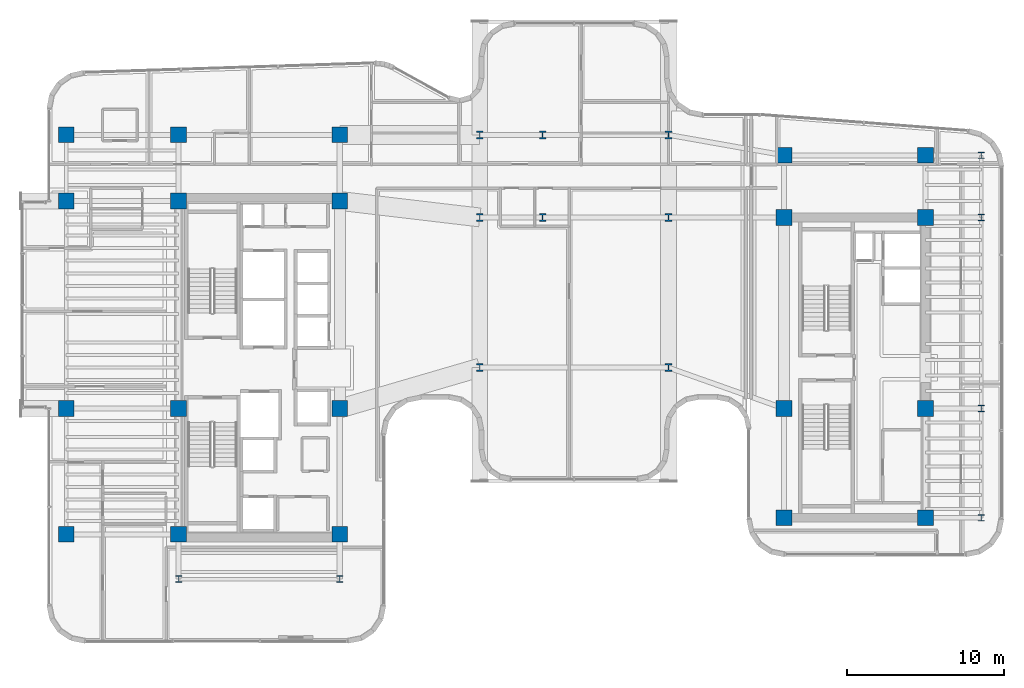
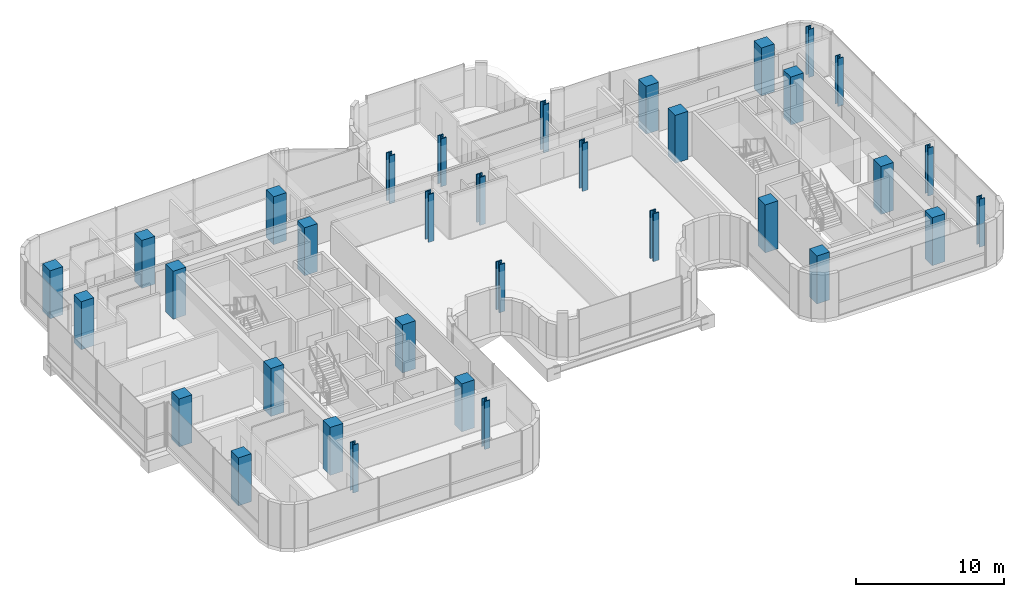
# One storey, part 1 of 38: 34 columns.
"""IFC4 building model written with IfcOpenShell, lengths in metres."""

from ifc_helpers import new_model, si_unit, direction, frame, origin, origin_2d, place, context, subcontext, project, spatial, rectangle, i_section, extrude, source, transform, mapped, material, material_profile, profile_set, type_object, element, save


model = new_model("IFC4")

# Units and contexts
model_context = context("Model", 3, precision=1e-05, world=origin(), true_north=direction((0.0, 1.0)))
body_context = subcontext(model_context, "Body", "Model", "MODEL_VIEW")
ifc_project = project(units=[si_unit("LENGTHUNIT", "METRE"), si_unit("AREAUNIT", "SQUARE_METRE"), si_unit("VOLUMEUNIT", "CUBIC_METRE"), si_unit("PLANEANGLEUNIT", "RADIAN"), si_unit("MASSUNIT", "GRAM", prefix="KILO")], contexts=[model_context])

# Site, building, storey
site_placement = place(None, origin())
site = spatial("IfcSite", under=ifc_project, at=site_placement, CompositionType="ELEMENT")
building_placement = place(site_placement, origin())
building = spatial("IfcBuilding", under=site, at=building_placement, Name="Valdorenza Pilgrim Sanctuary Tower", CompositionType="ELEMENT")
storey_placement = place(building_placement, frame((0.0, 0.0, 180.5)))
storey = spatial("IfcBuildingStorey", under=building, at=storey_placement, Name="L46", CompositionType="ELEMENT", Elevation=180.5)

# Columns
ifc_material_1 = material(Name="Concrete C50/60", Category="concrete")
ifc_material_profile_1 = material_profile(ifc_material_1, rectangle(XDim=1.0, YDim=1.0, at=origin_2d()), Name="RC 1000x1000")
ifc_profile_set_1 = profile_set([ifc_material_profile_1], Name="Concrete C50/60")
column_type_1 = type_object("IfcColumnType", Name="COL-Z3-1000", PredefinedType="COLUMN", material=ifc_profile_set_1)
shared_shape_1 = source(origin(), body_context, "Body", "SweptSolid", [
    extrude(rectangle(XDim=1.0, YDim=1.0, at=origin_2d()), origin(), (0.0, 0.0, 1.0), 3.949951171875),
])
for number, where, z_axis, x_axis, name in (
    (1, (-29.800048828125, -10.60009765625, 0.0), (0.0, 0.0, 1.0), (1.0, 0.0, 0.0), "L46 Perimeter Column WA-W-S1"),
    (2, (-22.64990234375, -10.60009765625, 0.0), (0.0, 0.0, 1.0), (1.0, 0.0, 0.0), "L46 Column CA-W-S1"),
    (3, (-12.39990234375, -10.60009765625, 0.0), (0.0, 0.0, 1.0), (1.0, 0.0, 0.0), "L46 Column CA-E-S1"),
    (4, (-29.800048828125, -2.60009765625, 0.0), (0.0, 0.0, 1.0), (1.0, 0.0, 0.0), "L46 Perimeter Column WA-W-M0"),
    (5, (-22.64990234375, -2.60009765625, 0.0), (0.0, 0.0, 1.0), (1.0, 0.0, 0.0), "L46 Column CA-W-M0"),
    (6, (-12.39990234375, -2.60009765625, 0.0), (0.0, 0.0, 1.0), (1.0, 0.0, 0.0), "L46 Column CA-E-M0"),
    (7, (-29.800048828125, 10.60009765625, 0.0), (0.0, 0.0, 1.0), (1.0, 0.0, 0.0), "L46 Perimeter Column WA-W-N1"),
    (8, (-22.64990234375, 10.60009765625, 0.0), (0.0, 0.0, 1.0), (1.0, 0.0, 0.0), "L46 Column CA-W-N1"),
    (9, (-12.39990234375, 10.60009765625, 0.0), (0.0, 0.0, 1.0), (1.0, 0.0, 0.0), "L46 Column CA-E-N1"),
    (10, (-29.800048828125, 14.800048828125, 0.0), (0.0, 0.0, 1.0), (1.0, 0.0, 0.0), "L46 Perimeter Column WA-W-N2"),
    (11, (-22.64990234375, 14.800048828125, 0.0), (0.0, 0.0, 1.0), (1.0, 0.0, 0.0), "L46 Column CA-W-N2"),
    (12, (-12.39990234375, 14.800048828125, 0.0), (0.0, 0.0, 1.0), (1.0, 0.0, 0.0), "L46 Column CA-E-N2"),
    (13, (15.85009765625, -9.550048828125, 0.0), (0.0, 0.0, 1.0), (1.0, 0.0, 0.0), "L46 Column CB-W-S1"),
    (14, (24.85009765625, -9.550048828125, 0.0), (0.0, 0.0, 1.0), (1.0, 0.0, 0.0), "L46 Column CB-E-S1"),
    (15, (15.85009765625, -2.60009765625, 0.0), (0.0, 0.0, 1.0), (1.0, 0.0, 0.0), "L46 Column CB-W-M0"),
    (16, (24.85009765625, -2.60009765625, 0.0), (0.0, 0.0, 1.0), (1.0, 0.0, 0.0), "L46 Column CB-E-M0"),
    (17, (15.85009765625, 9.550048828125, 0.0), (0.0, 0.0, 1.0), (1.0, 0.0, 0.0), "L46 Column CB-W-N1"),
    (18, (24.85009765625, 9.550048828125, 0.0), (0.0, 0.0, 1.0), (1.0, 0.0, 0.0), "L46 Column CB-E-N1"),
    (19, (15.85009765625, 13.5, 0.0), (0.0, 0.0, 1.0), (1.0, 0.0, 0.0), "L46 Column CB-W-N2"),
    (20, (24.85009765625, 13.5, 0.0), (0.0, 0.0, 1.0), (1.0, 0.0, 0.0), "L46 Column CB-E-N2"),
):
    element("IfcColumn", number, at=place(storey_placement, frame(where, z_axis=z_axis, x_axis=x_axis)), inside=storey, type_object=column_type_1, Name=name, PredefinedType="COLUMN", context=body_context, shape_type="MappedRepresentation", body=[
        mapped(shared_shape_1, transform((0.0, 0.0, 0.0), x_axis=(1.0, 0.0, 0.0), y_axis=(0.0, 1.0, 0.0), z_axis=(0.0, 0.0, 1.0), scale=1.0)),
    ])
ifc_material_2 = material(Name="Steel ASTM A992 Grade 50", Category="steel")
ifc_material_profile_2 = material_profile(ifc_material_2, i_section(OverallWidth=0.412109375, OverallDepth=0.43505859375, WebThickness=0.035888671875, FlangeThickness=0.057373046875, at=origin_2d()), Name="W14X311")
ifc_profile_set_2 = profile_set([ifc_material_profile_2], Name="Steel ASTM A992 Grade 50")
column_type_2 = type_object("IfcColumnType", Name="COL-STL-W311", PredefinedType="COLUMN", material=ifc_profile_set_2)
shared_shape_2 = source(origin(), body_context, "Body", "SweptSolid", [
    extrude(i_section(OverallWidth=0.412109375, OverallDepth=0.43505859375, WebThickness=0.035888671875, FlangeThickness=0.057373046875, at=origin_2d()), origin(), (0.0, 0.0, 1.0), 3.949951171875),
])
for number, where, z_axis, x_axis, name in (
    (21, (-22.64990234375, -13.449951171875, 0.0), (0.0, 0.0, 1.0), (1.0, 0.0, 0.0), "L46 Column WA-S-W"),
    (22, (-12.39990234375, -13.449951171875, 0.0), (0.0, 0.0, 1.0), (1.0, 0.0, 0.0), "L46 Column WA-S-E"),
    (23, (28.39990234375, -9.550048828125, 0.0), (0.0, 0.0, 1.0), (1.0, 0.0, 0.0), "L46 Perimeter Column WB-E-S1"),
    (24, (28.39990234375, -2.60009765625, 0.0), (0.0, 0.0, 1.0), (1.0, 0.0, 0.0), "L46 Perimeter Column WB-E-M0"),
    (25, (28.39990234375, 9.550048828125, 0.0), (0.0, 0.0, 1.0), (1.0, 0.0, 0.0), "L46 Perimeter Column WB-E-N1"),
    (26, (28.39990234375, 13.5, 0.0), (0.0, 0.0, 1.0), (1.0, 0.0, 0.0), "L46 Perimeter Column WB-E-N2"),
):
    element("IfcColumn", number, at=place(storey_placement, frame(where, z_axis=z_axis, x_axis=x_axis)), inside=storey, type_object=column_type_2, Name=name, PredefinedType="COLUMN", context=body_context, shape_type="MappedRepresentation", body=[
        mapped(shared_shape_2, transform((0.0, 0.0, 0.0), x_axis=(1.0, 0.0, 0.0), y_axis=(0.0, 1.0, 0.0), z_axis=(0.0, 0.0, 1.0), scale=1.0)),
    ])
ifc_material_profile_3 = material_profile(ifc_material_2, i_section(OverallWidth=0.431884765625, OverallDepth=0.498046875, WebThickness=0.0556640625, FlangeThickness=0.0888671875, at=origin_2d()), Name="W14X500")
ifc_profile_set_3 = profile_set([ifc_material_profile_3], Name="Steel ASTM A992 Grade 50")
column_type_3 = type_object("IfcColumnType", Name="COL-STL-W500", PredefinedType="COLUMN", material=ifc_profile_set_3)
shared_shape_3 = source(origin(), body_context, "Body", "SweptSolid", [
    extrude(i_section(OverallWidth=0.431884765625, OverallDepth=0.498046875, WebThickness=0.0556640625, FlangeThickness=0.0888671875, at=origin_2d()), origin(), (0.0, 0.0, 1.0), 3.949951171875),
])
for number, where, z_axis, x_axis, name in (
    (27, (-3.5, 0.0, 0.0), (0.0, 0.0, 1.0), (1.0, 0.0, 0.0), "L46 Column PRY-W0"),
    (28, (-3.5, 9.550048828125, 0.0), (0.0, 0.0, 1.0), (1.0, 0.0, 0.0), "L46 Column PRY-W1"),
    (29, (-3.5, 14.800048828125, 0.0), (0.0, 0.0, 1.0), (1.0, 0.0, 0.0), "L46 Column PRY-W2"),
    (30, (8.5, 0.0, 0.0), (0.0, 0.0, 1.0), (1.0, 0.0, 0.0), "L46 Column PRY-E0"),
    (31, (8.5, 9.550048828125, 0.0), (0.0, 0.0, 1.0), (1.0, 0.0, 0.0), "L46 Column PRY-E1"),
    (32, (8.5, 14.800048828125, 0.0), (0.0, 0.0, 1.0), (1.0, 0.0, 0.0), "L46 Column PRY-E2"),
    (33, (0.5, 9.550048828125, 0.0), (0.0, 0.0, 1.0), (1.0, 0.0, 0.0), "L46 Column PRY-TB1"),
    (34, (0.5, 14.800048828125, 0.0), (0.0, 0.0, 1.0), (1.0, 0.0, 0.0), "L46 Column PRY-TB2"),
):
    element("IfcColumn", number, at=place(storey_placement, frame(where, z_axis=z_axis, x_axis=x_axis)), inside=storey, type_object=column_type_3, Name=name, PredefinedType="COLUMN", context=body_context, shape_type="MappedRepresentation", body=[
        mapped(shared_shape_3, transform((0.0, 0.0, 0.0), x_axis=(1.0, 0.0, 0.0), y_axis=(0.0, 1.0, 0.0), z_axis=(0.0, 0.0, 1.0), scale=1.0)),
    ])

save(model, "model.ifc")
